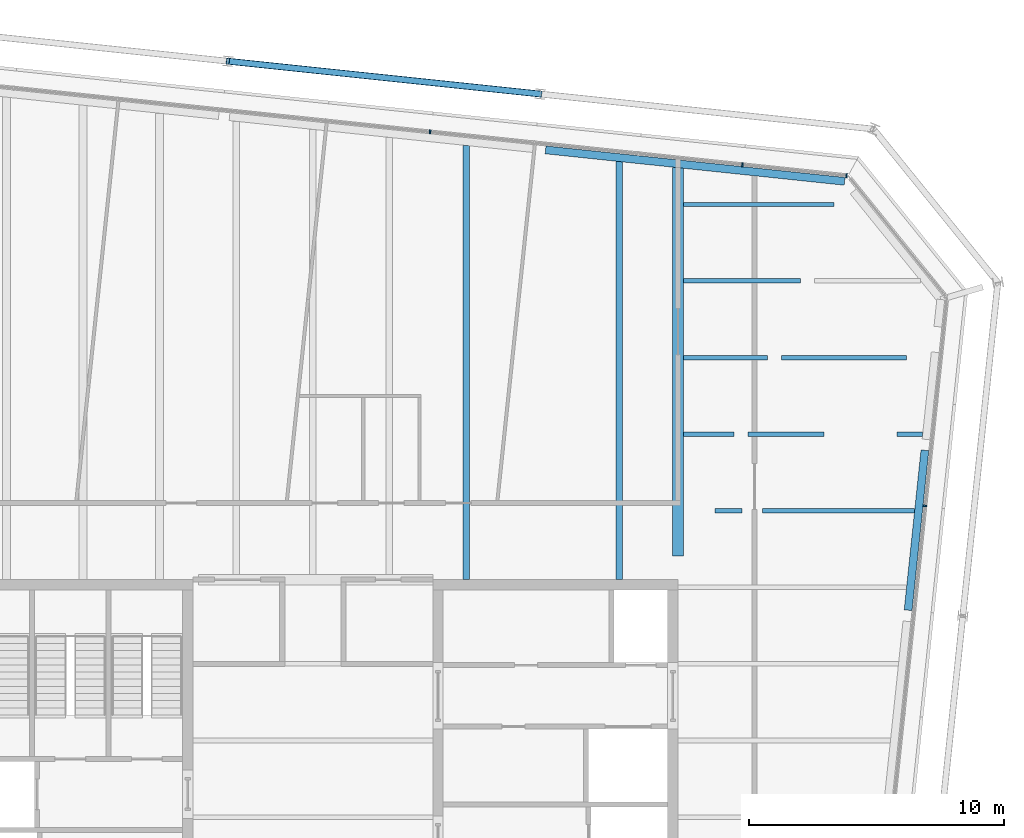
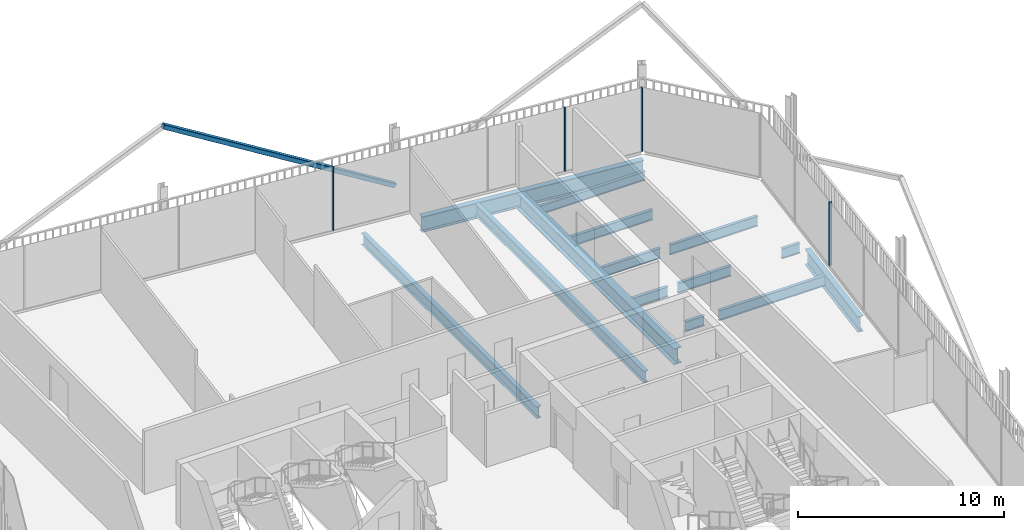
# One storey, part 14 of 21: 14 beams, 5 members, 2 elements without a shape of their own.
"""IFC4 building model written with IfcOpenShell, lengths in metres."""

from ifc_helpers import new_model, si_unit, direction, frame, origin, origin_2d, place, context, subcontext, project, spatial, rectangle, hollow_rectangle, i_section, extrude, material, layer, layer_set, material_profile, profile_set, type_object, element, aggregate, save


model = new_model("IFC4")

# Units and contexts
model_context = context("Model", 3, precision=1e-05, world=origin(), true_north=direction((0.0, 1.0)))
body_context = subcontext(model_context, "Body", "Model", "MODEL_VIEW")
ifc_project = project(units=[si_unit("LENGTHUNIT", "METRE"), si_unit("AREAUNIT", "SQUARE_METRE"), si_unit("VOLUMEUNIT", "CUBIC_METRE"), si_unit("PLANEANGLEUNIT", "RADIAN"), si_unit("MASSUNIT", "GRAM", prefix="KILO")], contexts=[model_context])

# Site, building, storey
site_placement = place(None, origin())
site = spatial("IfcSite", under=ifc_project, at=site_placement, CompositionType="ELEMENT")
building_placement = place(site_placement, origin())
building = spatial("IfcBuilding", under=site, at=building_placement, Name="Millrace Tower", CompositionType="ELEMENT")
storey_placement = place(building_placement, frame((0.0, 0.0, 276.0)))
storey = spatial("IfcBuildingStorey", under=building, at=storey_placement, Name="L63", CompositionType="ELEMENT", Elevation=276.0)

# Curtain wall, member
ifc_material_1 = material(Name="Aluminium and glass", Category="aluminium")
ifc_layer = layer(ifc_material_1, 0.14990234375)
ifc_layer_set = layer_set([ifc_layer], Name="Aluminium and glass")
curtain_wall_type = type_object("IfcCurtainWallType", Name="CW-1 office vision curtain wall", PredefinedType="NOTDEFINED", material=ifc_layer_set)
placement = place(storey_placement, origin())
curtain_wall_1 = element("IfcCurtainWall", 1, at=placement, inside=storey, type_object=curtain_wall_type, Name="Curtain wall E-F04 L63", PredefinedType="NOTDEFINED")
ifc_material_2 = material(Name="Aluminium", Category="aluminium")
ifc_material_profile_1 = material_profile(ifc_material_2, rectangle(XDim=0.06494140625, YDim=0.14990234375, at=origin_2d()))
ifc_profile_set_1 = profile_set([ifc_material_profile_1], Name="Aluminium")
member_type_1 = type_object("IfcMemberType", Name="CW-1 office vision curtain wall mullion", PredefinedType="MULLION", material=ifc_profile_set_1)
member_1_placement = place(storey_placement, frame((23.974853515625, 12.1904296875, 0.139892578125), z_axis=(0.0, 0.0, 1.0), x_axis=(0.104528455196, 0.994521896217, 0.0)))
member_1 = element("IfcMember", 2, at=member_1_placement, type_object=member_type_1, Name="CW1 mullion E-F04.8", PredefinedType="MULLION", context=body_context, shape_type="SweptSolid", body=[
    extrude(rectangle(XDim=0.06494140625, YDim=0.14990234375, at=origin_2d()), origin(), (0.0, 0.0, 1.0), 3.760009765625),
])
aggregate(curtain_wall_1, [member_1])

# Curtain wall, members
curtain_wall_2 = element("IfcCurtainWall", 3, at=placement, inside=storey, type_object=curtain_wall_type, Name="Curtain wall E-F06 L63", PredefinedType="NOTDEFINED")
member_2_placement = place(storey_placement, frame((20.902587890625, 25.124755859375, 0.139892578125), z_axis=(0.0, 0.0, 1.0), x_axis=(-0.994521896217, 0.104528455196, 0.0)))
member_2 = element("IfcMember", 4, at=member_2_placement, type_object=member_type_1, Name="CW1 mullion E-F06.1", PredefinedType="MULLION", context=body_context, shape_type="SweptSolid", body=[
    extrude(rectangle(XDim=0.06494140625, YDim=0.14990234375, at=origin_2d()), origin(), (0.0, 0.0, 1.0), 3.760009765625),
])
member_3_placement = place(storey_placement, frame((16.824951171875, 25.553466796875, 0.139892578125), z_axis=(0.0, 0.0, 1.0), x_axis=(-0.994521896217, 0.104528455196, 0.0)))
member_3 = element("IfcMember", 5, at=member_3_placement, type_object=member_type_1, Name="CW1 mullion E-F06.2", PredefinedType="MULLION", context=body_context, shape_type="SweptSolid", body=[
    extrude(rectangle(XDim=0.06494140625, YDim=0.14990234375, at=origin_2d()), origin(), (0.0, 0.0, 1.0), 3.760009765625),
])
member_4_placement = place(storey_placement, frame((4.59228515625, 26.839111328125, 0.139892578125), z_axis=(0.0, 0.0, 1.0), x_axis=(-0.994521896217, 0.104528455196, 0.0)))
member_4 = element("IfcMember", 6, at=member_4_placement, type_object=member_type_1, Name="CW1 mullion E-F06.5", PredefinedType="MULLION", context=body_context, shape_type="SweptSolid", body=[
    extrude(rectangle(XDim=0.06494140625, YDim=0.14990234375, at=origin_2d()), origin(), (0.0, 0.0, 1.0), 3.760009765625),
])
aggregate(curtain_wall_2, [member_2, member_3, member_4])

# Member
ifc_material_3 = material(Name="Steel ASTM A500 Grade C", Category="steel")
ifc_material_profile_2 = material_profile(ifc_material_3, hollow_rectangle(XDim=0.25390625, YDim=0.25390625, WallThickness=0.0126953125, InnerFilletRadius=0.00634765625, OuterFilletRadius=0.01904296875, at=origin_2d()))
ifc_profile_set_2 = profile_set([ifc_material_profile_2], Name="Steel ASTM A500 Grade C")
member_type_2 = type_object("IfcMemberType", Name="Exoskeleton brace HSS10x10x1/2", PredefinedType="BRACE", material=ifc_profile_set_2)
member_5_placement = place(storey_placement, frame((8.9033203125, 28.321533203125, 0.39990234375), z_axis=(-0.864351522622, 0.090842732624, 0.494615045537), x_axis=(-0.104523600289, -0.994522406476, 0.0)))
element("IfcMember", 7, at=member_5_placement, inside=storey, type_object=member_type_2, Name="BRC-E-L63-11", PredefinedType="BRACE", context=body_context, shape_type="SweptSolid", body=[
    extrude(hollow_rectangle(XDim=0.25390625, YDim=0.25390625, WallThickness=0.0126953125, InnerFilletRadius=0.00634765625, OuterFilletRadius=0.01904296875, at=origin_2d()), origin(), (0.0, 0.0, 1.0), 14.15234375),
])

# Beams
ifc_material_4 = material(Name="Steel ASTM A992 Grade 50", Category="steel")
ifc_material_profile_3 = material_profile(ifc_material_4, i_section(OverallWidth=0.1650390625, OverallDepth=0.52587890625, WebThickness=0.0087890625, FlangeThickness=0.011474609375, FilletRadius=0.0126953125, at=origin_2d()))
ifc_profile_set_3 = profile_set([ifc_material_profile_3], Name="Steel ASTM A992 Grade 50")
beam_type_1 = type_object("IfcBeamType", Name="Floor beam W21x44", PredefinedType="JOIST", material=ifc_profile_set_3)
beam_1_placement = place(storey_placement, frame((14.509521484375, 24.0, -0.4228515625), z_axis=(1.0, 0.0, 0.0), x_axis=(0.0, 1.0, 0.0)))
element("IfcBeam", 8, at=beam_1_placement, inside=storey, type_object=beam_type_1, Name="BM-E-L63-S1-S034", PredefinedType="JOIST", context=body_context, shape_type="SweptSolid", body=[
    extrude(i_section(OverallWidth=0.1650390625, OverallDepth=0.52587890625, WebThickness=0.0087890625, FlangeThickness=0.011474609375, FilletRadius=0.0126953125, at=origin_2d()), origin(), (0.0, 0.0, 1.0), 5.901123046875),
])
ifc_material_5 = material(Name="Steel ASTM A992 Grade 50", Category="steel")
ifc_material_profile_4 = material_profile(ifc_material_5, i_section(OverallWidth=0.177978515625, OverallDepth=0.599365234375, WebThickness=0.010009765625, FlangeThickness=0.012939453125, FilletRadius=0.012939453125, at=origin_2d()))
ifc_profile_set_4 = profile_set([ifc_material_profile_4], Name="Steel ASTM A992 Grade 50")
beam_type_2 = type_object("IfcBeamType", Name="Floor beam W24x55", PredefinedType="JOIST", material=ifc_profile_set_4)
beam_2_placement = place(storey_placement, frame((17.617919921875, 12.0, -0.459716796875), z_axis=(1.0, 0.0, 0.0), x_axis=(0.0, 1.0, 0.0)))
element("IfcBeam", 9, at=beam_2_placement, inside=storey, type_object=beam_type_2, Name="BM-E-L63-S1-S026-b", PredefinedType="JOIST", context=body_context, shape_type="SweptSolid", body=[
    extrude(i_section(OverallWidth=0.177978515625, OverallDepth=0.599365234375, WebThickness=0.010009765625, FlangeThickness=0.012939453125, FilletRadius=0.012939453125, at=origin_2d()), origin(), (0.0, 0.0, 1.0), 5.952392578125),
])
beam_3_placement = place(storey_placement, frame((22.876953125, 15.0, -0.459716796875), z_axis=(1.0, 0.0, 0.0), x_axis=(0.0, 1.0, 0.0)))
element("IfcBeam", 10, at=beam_3_placement, inside=storey, type_object=beam_type_2, Name="BM-E-L63-S1-S028-b", PredefinedType="JOIST", context=body_context, shape_type="SweptSolid", body=[
    extrude(i_section(OverallWidth=0.177978515625, OverallDepth=0.599365234375, WebThickness=0.010009765625, FlangeThickness=0.012939453125, FilletRadius=0.012939453125, at=origin_2d()), origin(), (0.0, 0.0, 1.0), 1.0087890625),
])
beam_4_placement = place(storey_placement, frame((15.744140625, 12.0, -0.459716796875), z_axis=(1.0, 0.0, 0.0), x_axis=(0.0, 1.0, 0.0)))
element("IfcBeam", 11, at=beam_4_placement, inside=storey, type_object=beam_type_2, Name="BM-E-L63-S1-S026-a", PredefinedType="JOIST", context=body_context, shape_type="SweptSolid", body=[
    extrude(i_section(OverallWidth=0.177978515625, OverallDepth=0.599365234375, WebThickness=0.010009765625, FlangeThickness=0.012939453125, FilletRadius=0.012939453125, at=origin_2d()), origin(), (0.0, 0.0, 1.0), 1.063232421875),
])
beam_5_placement = place(storey_placement, frame((14.509521484375, 18.0, -0.459716796875), z_axis=(1.0, 0.0, 0.0), x_axis=(0.0, 1.0, 0.0)))
element("IfcBeam", 12, at=beam_5_placement, inside=storey, type_object=beam_type_2, Name="BM-E-L63-S1-S030-a", PredefinedType="JOIST", context=body_context, shape_type="SweptSolid", body=[
    extrude(i_section(OverallWidth=0.177978515625, OverallDepth=0.599365234375, WebThickness=0.010009765625, FlangeThickness=0.012939453125, FilletRadius=0.012939453125, at=origin_2d()), origin(), (0.0, 0.0, 1.0), 3.294189453125),
])
beam_6_placement = place(storey_placement, frame((18.34814453125, 18.0, -0.459716796875), z_axis=(1.0, 0.0, 0.0), x_axis=(0.0, 1.0, 0.0)))
element("IfcBeam", 13, at=beam_6_placement, inside=storey, type_object=beam_type_2, Name="BM-E-L63-S1-S030-b", PredefinedType="JOIST", context=body_context, shape_type="SweptSolid", body=[
    extrude(i_section(OverallWidth=0.177978515625, OverallDepth=0.599365234375, WebThickness=0.010009765625, FlangeThickness=0.012939453125, FilletRadius=0.012939453125, at=origin_2d()), origin(), (0.0, 0.0, 1.0), 4.90966796875),
])
beam_7_placement = place(storey_placement, frame((14.509521484375, 21.0, -0.459716796875), z_axis=(1.0, 0.0, 0.0), x_axis=(0.0, 1.0, 0.0)))
element("IfcBeam", 14, at=beam_7_placement, inside=storey, type_object=beam_type_2, Name="BM-E-L63-S1-S032-a", PredefinedType="JOIST", context=body_context, shape_type="SweptSolid", body=[
    extrude(i_section(OverallWidth=0.177978515625, OverallDepth=0.599365234375, WebThickness=0.010009765625, FlangeThickness=0.012939453125, FilletRadius=0.012939453125, at=origin_2d()), origin(), (0.0, 0.0, 1.0), 4.59619140625),
])
beam_8_placement = place(storey_placement, frame((14.509521484375, 15.0, -0.459716796875), z_axis=(1.0, 0.0, 0.0), x_axis=(0.0, 1.0, 0.0)))
element("IfcBeam", 15, at=beam_8_placement, inside=storey, type_object=beam_type_2, Name="BM-E-L63-S1-S028-a-a", PredefinedType="JOIST", context=body_context, shape_type="SweptSolid", body=[
    extrude(i_section(OverallWidth=0.177978515625, OverallDepth=0.599365234375, WebThickness=0.010009765625, FlangeThickness=0.012939453125, FilletRadius=0.012939453125, at=origin_2d()), origin(), (0.0, 0.0, 1.0), 1.991943359375),
])
beam_9_placement = place(storey_placement, frame((17.046142578125, 15.0, -0.459716796875), z_axis=(1.0, 0.0, 0.0), x_axis=(0.0, 1.0, 0.0)))
element("IfcBeam", 16, at=beam_9_placement, inside=storey, type_object=beam_type_2, Name="BM-E-L63-S1-S028-a-b", PredefinedType="JOIST", context=body_context, shape_type="SweptSolid", body=[
    extrude(i_section(OverallWidth=0.177978515625, OverallDepth=0.599365234375, WebThickness=0.010009765625, FlangeThickness=0.012939453125, FilletRadius=0.012939453125, at=origin_2d()), origin(), (0.0, 0.0, 1.0), 2.981201171875),
])
ifc_material_6 = material(Name="Steel ASTM A992 Grade 50", Category="steel")
ifc_material_profile_5 = material_profile(ifc_material_6, i_section(OverallWidth=0.256591796875, OverallDepth=0.693359375, WebThickness=0.014404296875, FlangeThickness=0.023681640625, FilletRadius=0.01513671875, at=origin_2d()))
ifc_profile_set_5 = profile_set([ifc_material_profile_5], Name="Steel ASTM A992 Grade 50")
beam_type_3 = type_object("IfcBeamType", Name="Floor beam W27x114", PredefinedType="JOIST", material=ifc_profile_set_5)
beam_10_placement = place(storey_placement, frame((6.0, 9.300048828125, -0.506591796875), z_axis=(0.0, 1.0, 0.0), x_axis=(-1.0, 0.0, 0.0)))
element("IfcBeam", 17, at=beam_10_placement, inside=storey, type_object=beam_type_3, Name="BM-E-L63-S1-S048", PredefinedType="JOIST", context=body_context, shape_type="SweptSolid", body=[
    extrude(i_section(OverallWidth=0.256591796875, OverallDepth=0.693359375, WebThickness=0.014404296875, FlangeThickness=0.023681640625, FilletRadius=0.01513671875, at=origin_2d()), origin(), (0.0, 0.0, 1.0), 17.006591796875),
])
beam_11_placement = place(storey_placement, frame((12.0, 9.300048828125, -0.506591796875), z_axis=(0.0, 1.0, 0.0), x_axis=(-1.0, 0.0, 0.0)))
element("IfcBeam", 18, at=beam_11_placement, inside=storey, type_object=beam_type_3, Name="BM-E-L63-S1-S052", PredefinedType="JOIST", context=body_context, shape_type="SweptSolid", body=[
    extrude(i_section(OverallWidth=0.256591796875, OverallDepth=0.693359375, WebThickness=0.014404296875, FlangeThickness=0.023681640625, FilletRadius=0.01513671875, at=origin_2d()), origin(), (0.0, 0.0, 1.0), 16.3759765625),
])
ifc_material_7 = material(Name="Steel ASTM A992 Grade 50", Category="steel")
ifc_material_profile_6 = material_profile(ifc_material_7, i_section(OverallWidth=0.424072265625, OverallDepth=0.947509765625, WebThickness=0.02392578125, FlangeThickness=0.042724609375, FilletRadius=0.024169921875, at=origin_2d()))
ifc_profile_set_6 = profile_set([ifc_material_profile_6], Name="Steel ASTM A992 Grade 50")
beam_type_4 = type_object("IfcBeamType", Name="Girder medium span W36x302", PredefinedType="BEAM", material=ifc_profile_set_6)
beam_12_placement = place(storey_placement, frame((14.300048828125, 10.220703125, -0.6337890625), z_axis=(0.0, 1.0, 0.0), x_axis=(-1.0, 0.0, 0.0)))
element("IfcBeam", 19, at=beam_12_placement, inside=storey, type_object=beam_type_4, Name="BM-E-L63-S1-G056", PredefinedType="BEAM", context=body_context, shape_type="SweptSolid", body=[
    extrude(i_section(OverallWidth=0.424072265625, OverallDepth=0.947509765625, WebThickness=0.02392578125, FlangeThickness=0.042724609375, FilletRadius=0.024169921875, at=origin_2d()), origin(), (0.0, 0.0, 1.0), 15.213623046875),
])
ifc_material_8 = material(Name="Steel ASTM A992 Grade 50", Category="steel")
ifc_material_profile_7 = material_profile(ifc_material_8, i_section(OverallWidth=0.307373046875, OverallDepth=0.927001953125, WebThickness=0.01953125, FlangeThickness=0.031982421875, FilletRadius=0.01904296875, at=origin_2d()))
ifc_profile_set_7 = profile_set([ifc_material_profile_7], Name="Steel ASTM A992 Grade 50")
beam_type_5 = type_object("IfcBeamType", Name="Ring beam short span W36x194", PredefinedType="SPANDREL", material=ifc_profile_set_7)
beam_13_placement = place(storey_placement, frame((23.9736328125, 14.366943359375, -0.62353515625), z_axis=(-0.104523330898, -0.994522434789, 0.0), x_axis=(0.994522434789, -0.104523330898, 0.0)))
element("IfcBeam", 20, at=beam_13_placement, inside=storey, type_object=beam_type_5, Name="RNG-E-L63-S1-09-b", PredefinedType="SPANDREL", context=body_context, shape_type="SweptSolid", body=[
    extrude(i_section(OverallWidth=0.307373046875, OverallDepth=0.927001953125, WebThickness=0.01953125, FlangeThickness=0.031982421875, FilletRadius=0.01904296875, at=origin_2d()), origin(), (0.0, 0.0, 1.0), 6.297119140625),
])
beam_14_placement = place(storey_placement, frame((9.115478515625, 26.1337890625, -0.62353515625), z_axis=(0.994520323327, -0.104543419155, 0.0), x_axis=(0.104543419155, 0.994520323327, 0.0)))
element("IfcBeam", 21, at=beam_14_placement, inside=storey, type_object=beam_type_5, Name="RNG-E-L63-S1-07", PredefinedType="SPANDREL", context=body_context, shape_type="SweptSolid", body=[
    extrude(i_section(OverallWidth=0.307373046875, OverallDepth=0.927001953125, WebThickness=0.01953125, FlangeThickness=0.031982421875, FilletRadius=0.01904296875, at=origin_2d()), origin(), (0.0, 0.0, 1.0), 11.77685546875),
])

save(model, "model.ifc")
